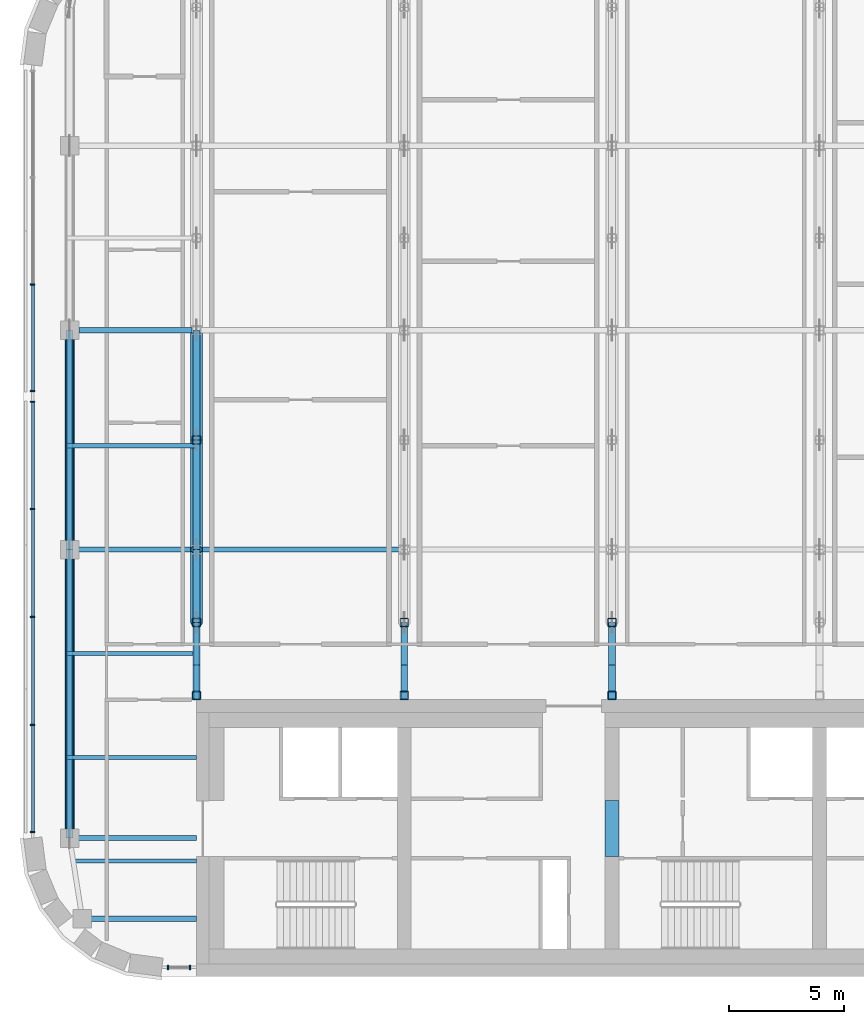
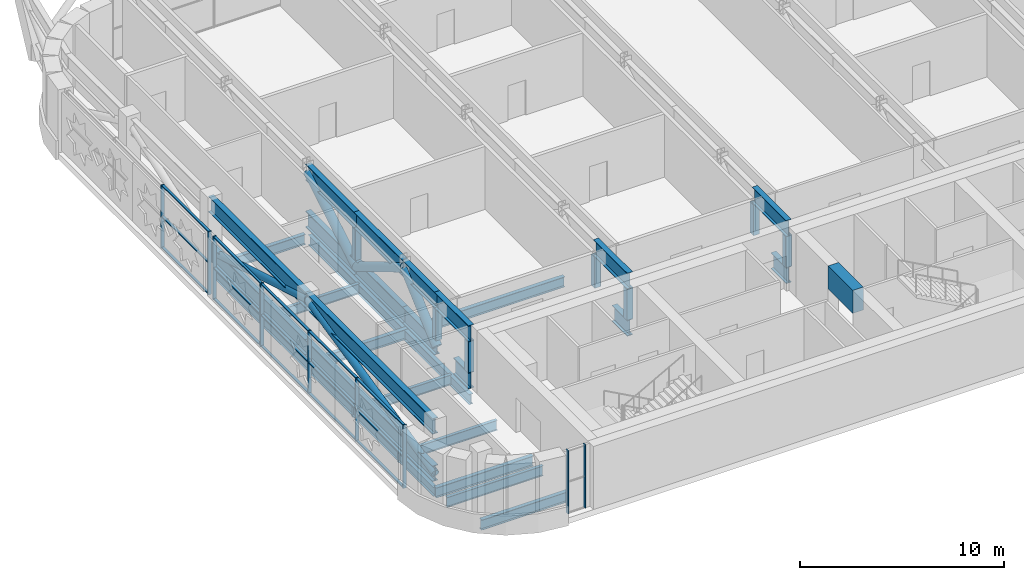
# One storey, part 5 of 28: 52 members, 12 beams, 3 elements without a shape of their own.
"""IFC4 building model written with IfcOpenShell, lengths in metres."""

from ifc_helpers import new_model, si_unit, direction, frame, origin, origin_2d, place, context, subcontext, project, spatial, rectangle, hollow_rectangle, hollow_circle, i_section, extrude, material, material_profile, profile_set, type_object, element, aggregate, save


model = new_model("IFC4")

# Units and contexts
model_context = context("Model", 3, precision=1e-05, world=origin(), true_north=direction((0.0, 1.0)))
body_context = subcontext(model_context, "Body", "Model", "MODEL_VIEW")
ifc_project = project(units=[si_unit("LENGTHUNIT", "METRE"), si_unit("AREAUNIT", "SQUARE_METRE"), si_unit("VOLUMEUNIT", "CUBIC_METRE"), si_unit("PLANEANGLEUNIT", "RADIAN"), si_unit("MASSUNIT", "GRAM", prefix="KILO")], contexts=[model_context])

# Site, building, storey
site_placement = place(None, origin())
site = spatial("IfcSite", under=ifc_project, at=site_placement, CompositionType="ELEMENT")
building_placement = place(site_placement, origin())
building = spatial("IfcBuilding", under=site, at=building_placement, Name="Zellij Exchange Tower", CompositionType="ELEMENT")
storey_placement = place(building_placement, frame((0.0, 0.0, 268.5)))
storey = spatial("IfcBuildingStorey", under=building, at=storey_placement, Name="L63", CompositionType="ELEMENT", Elevation=268.5)

# Beam
ifc_material_1 = material(Name="Concrete C50/60", Category="concrete")
ifc_material_profile_1 = material_profile(ifc_material_1, rectangle(XDim=0.60009765625, YDim=1.3798828125, at=origin_2d()), Name="CORE-CB 600x1380 C50/60")
ifc_profile_set_1 = profile_set([ifc_material_profile_1], Name="Concrete C50/60")
beam_type_1 = type_object("IfcBeamType", Name="CORE-CB 600x1380 C50/60", PredefinedType="BEAM", material=ifc_profile_set_1)
beam_1_placement = place(storey_placement, frame((-9.0, -8.800048828125, 3.090087890625), z_axis=(0.0, 1.0, 0.0), x_axis=(-1.0, 0.0, 0.0)))
element("IfcBeam", 1, at=beam_1_placement, inside=storey, type_object=beam_type_1, Name="Core coupling beam x -9 L63", PredefinedType="BEAM", context=body_context, shape_type="SweptSolid", body=[
    extrude(rectangle(XDim=0.60009765625, YDim=1.3798828125, at=origin_2d()), origin(), (0.0, 0.0, 1.0), 2.425048828125),
])

# Curtain wall, members
ifc_material_2 = material(Name="Aluminium frame, clear insulating glass", Category="aluminium")
curtain_wall_type = type_object("IfcCurtainWallType", Name="ENV-CW2 Outrigger-storey glazing", PredefinedType="NOTDEFINED", material=ifc_material_2)
curtain_wall_1_placement = place(storey_placement, origin())
curtain_wall_1 = element("IfcCurtainWall", 2, at=curtain_wall_1_placement, inside=storey, type_object=curtain_wall_type, Name="cw.L63.00a", PredefinedType="NOTDEFINED")
ifc_material_3 = material(Name="Aluminium", Category="aluminium")
ifc_material_profile_2 = material_profile(ifc_material_3, rectangle(XDim=0.06005859375, YDim=0.199951171875, at=origin_2d()), Name="AL 60x200")
ifc_profile_set_2 = profile_set([ifc_material_profile_2], Name="Aluminium")
member_type_1 = type_object("IfcMemberType", Name="ENV-CW2M Mullion 60x200", PredefinedType="MULLION", material=ifc_profile_set_2)
member_1_placement = place(storey_placement, frame((-28.243896484375, -13.60009765625, 0.0), z_axis=(0.0, 0.0, 1.0), x_axis=(1.0, 0.0, 0.0)))
member_1 = element("IfcMember", 3, at=member_1_placement, type_object=member_type_1, Name="CW2 mullion 1", PredefinedType="MULLION", context=body_context, shape_type="SweptSolid", body=[
    extrude(rectangle(XDim=0.06005859375, YDim=0.199951171875, at=origin_2d()), origin(), (0.0, 0.0, 1.0), 3.780029296875),
])
member_2_placement = place(storey_placement, frame((-27.280029296875, -13.60009765625, 0.0), z_axis=(0.0, 0.0, 1.0), x_axis=(1.0, 0.0, 0.0)))
member_2 = element("IfcMember", 4, at=member_2_placement, type_object=member_type_1, Name="CW2 mullion 2", PredefinedType="MULLION", context=body_context, shape_type="SweptSolid", body=[
    extrude(rectangle(XDim=0.06005859375, YDim=0.199951171875, at=origin_2d()), origin(), (0.0, 0.0, 1.0), 3.780029296875),
])
aggregate(curtain_wall_1, [member_1, member_2])

curtain_wall_2_placement = place(storey_placement, origin())
curtain_wall_2 = element("IfcCurtainWall", 5, at=curtain_wall_2_placement, inside=storey, type_object=curtain_wall_type, Name="cw.L63.21a", PredefinedType="NOTDEFINED")
member_3_placement = place(storey_placement, frame((-34.10009765625, 15.98388671875, 0.0), z_axis=(0.0, 0.0, 1.0), x_axis=(0.0, -1.0, 0.0)))
member_3 = element("IfcMember", 6, at=member_3_placement, type_object=member_type_1, Name="CW2 mullion 3", PredefinedType="MULLION", context=body_context, shape_type="SweptSolid", body=[
    extrude(rectangle(XDim=0.06005859375, YDim=0.199951171875, at=origin_2d()), origin(), (0.0, 0.0, 1.0), 3.780029296875),
])
member_4_placement = place(storey_placement, frame((-34.10009765625, 11.369140625, 0.0), z_axis=(0.0, 0.0, 1.0), x_axis=(0.0, -1.0, 0.0)))
member_4 = element("IfcMember", 7, at=member_4_placement, type_object=member_type_1, Name="CW2 mullion 4", PredefinedType="MULLION", context=body_context, shape_type="SweptSolid", body=[
    extrude(rectangle(XDim=0.06005859375, YDim=0.199951171875, at=origin_2d()), origin(), (0.0, 0.0, 1.0), 3.780029296875),
])

curtain_wall_3_placement = place(storey_placement, origin())
curtain_wall_3 = element("IfcCurtainWall", 8, at=curtain_wall_3_placement, inside=storey, type_object=curtain_wall_type, Name="cw.L63.21b", PredefinedType="NOTDEFINED")
member_5_placement = place(storey_placement, frame((-34.10009765625, 10.9091796875, 0.0), z_axis=(0.0, 0.0, 1.0), x_axis=(0.0, -1.0, 0.0)))
member_5 = element("IfcMember", 9, at=member_5_placement, type_object=member_type_1, Name="CW2 mullion 1", PredefinedType="MULLION", context=body_context, shape_type="SweptSolid", body=[
    extrude(rectangle(XDim=0.06005859375, YDim=0.199951171875, at=origin_2d()), origin(), (0.0, 0.0, 1.0), 3.780029296875),
])
member_6_placement = place(storey_placement, frame((-34.10009765625, 6.260986328125, 0.0), z_axis=(0.0, 0.0, 1.0), x_axis=(0.0, -1.0, 0.0)))
member_6 = element("IfcMember", 10, at=member_6_placement, type_object=member_type_1, Name="CW2 mullion 2", PredefinedType="MULLION", context=body_context, shape_type="SweptSolid", body=[
    extrude(rectangle(XDim=0.06005859375, YDim=0.199951171875, at=origin_2d()), origin(), (0.0, 0.0, 1.0), 3.780029296875),
])
member_7_placement = place(storey_placement, frame((-34.10009765625, 1.582763671875, 0.0), z_axis=(0.0, 0.0, 1.0), x_axis=(0.0, -1.0, 0.0)))
member_7 = element("IfcMember", 11, at=member_7_placement, type_object=member_type_1, Name="CW2 mullion 3", PredefinedType="MULLION", context=body_context, shape_type="SweptSolid", body=[
    extrude(rectangle(XDim=0.06005859375, YDim=0.199951171875, at=origin_2d()), origin(), (0.0, 0.0, 1.0), 3.780029296875),
])
member_8_placement = place(storey_placement, frame((-34.10009765625, -3.095458984375, 0.0), z_axis=(0.0, 0.0, 1.0), x_axis=(0.0, -1.0, 0.0)))
member_8 = element("IfcMember", 12, at=member_8_placement, type_object=member_type_1, Name="CW2 mullion 4", PredefinedType="MULLION", context=body_context, shape_type="SweptSolid", body=[
    extrude(rectangle(XDim=0.06005859375, YDim=0.199951171875, at=origin_2d()), origin(), (0.0, 0.0, 1.0), 3.780029296875),
])
member_9_placement = place(storey_placement, frame((-34.10009765625, -7.743896484375, 0.0), z_axis=(0.0, 0.0, 1.0), x_axis=(0.0, -1.0, 0.0)))
member_9 = element("IfcMember", 13, at=member_9_placement, type_object=member_type_1, Name="CW2 mullion 5", PredefinedType="MULLION", context=body_context, shape_type="SweptSolid", body=[
    extrude(rectangle(XDim=0.06005859375, YDim=0.199951171875, at=origin_2d()), origin(), (0.0, 0.0, 1.0), 3.780029296875),
])

# Member
ifc_material_profile_3 = material_profile(ifc_material_3, rectangle(XDim=0.139892578125, YDim=0.06005859375, at=origin_2d()), Name="AL 140x60")
ifc_profile_set_3 = profile_set([ifc_material_profile_3], Name="Aluminium")
member_type_2 = type_object("IfcMemberType", Name="ENV-CW2T Transom 140x60", PredefinedType="USERDEFINED", material=ifc_profile_set_3)
member_10_placement = place(storey_placement, frame((-34.10009765625, 15.9541015625, 0.030029296875), z_axis=(0.0, -1.0, 0.0), x_axis=(1.0, 0.0, 0.0)))
member_10 = element("IfcMember", 14, at=member_10_placement, type_object=member_type_2, Name="CW2 transom 3.1", ObjectType="TRANSOM", PredefinedType="USERDEFINED", context=body_context, shape_type="SweptSolid", body=[
    extrude(rectangle(XDim=0.139892578125, YDim=0.06005859375, at=origin_2d()), origin(), (0.0, 0.0, 1.0), 4.554931640625),
])

member_11_placement = place(storey_placement, frame((-34.10009765625, 15.9541015625, 1.889892578125), z_axis=(0.0, -1.0, 0.0), x_axis=(1.0, 0.0, 0.0)))
member_11 = element("IfcMember", 15, at=member_11_placement, type_object=member_type_2, Name="CW2 transom 3.2", ObjectType="TRANSOM", PredefinedType="USERDEFINED", context=body_context, shape_type="SweptSolid", body=[
    extrude(rectangle(XDim=0.139892578125, YDim=0.06005859375, at=origin_2d()), origin(), (0.0, 0.0, 1.0), 4.554931640625),
])

member_12_placement = place(storey_placement, frame((-34.10009765625, 15.9541015625, 3.75), z_axis=(0.0, -1.0, 0.0), x_axis=(1.0, 0.0, 0.0)))
member_12 = element("IfcMember", 16, at=member_12_placement, type_object=member_type_2, Name="CW2 transom 3.3", ObjectType="TRANSOM", PredefinedType="USERDEFINED", context=body_context, shape_type="SweptSolid", body=[
    extrude(rectangle(XDim=0.139892578125, YDim=0.06005859375, at=origin_2d()), origin(), (0.0, 0.0, 1.0), 4.554931640625),
])

aggregate(curtain_wall_2, [member_3, member_4, member_10, member_11, member_12])

member_13_placement = place(storey_placement, frame((-34.10009765625, 10.879150390625, 0.030029296875), z_axis=(0.0, -1.0, 0.0), x_axis=(1.0, 0.0, 0.0)))
member_13 = element("IfcMember", 17, at=member_13_placement, type_object=member_type_2, Name="CW2 transom 1.1", ObjectType="TRANSOM", PredefinedType="USERDEFINED", context=body_context, shape_type="SweptSolid", body=[
    extrude(rectangle(XDim=0.139892578125, YDim=0.06005859375, at=origin_2d()), origin(), (0.0, 0.0, 1.0), 4.58837890625),
])

member_14_placement = place(storey_placement, frame((-34.10009765625, 10.879150390625, 1.889892578125), z_axis=(0.0, -1.0, 0.0), x_axis=(1.0, 0.0, 0.0)))
member_14 = element("IfcMember", 18, at=member_14_placement, type_object=member_type_2, Name="CW2 transom 1.2", ObjectType="TRANSOM", PredefinedType="USERDEFINED", context=body_context, shape_type="SweptSolid", body=[
    extrude(rectangle(XDim=0.139892578125, YDim=0.06005859375, at=origin_2d()), origin(), (0.0, 0.0, 1.0), 4.58837890625),
])

member_15_placement = place(storey_placement, frame((-34.10009765625, 10.879150390625, 3.75), z_axis=(0.0, -1.0, 0.0), x_axis=(1.0, 0.0, 0.0)))
member_15 = element("IfcMember", 19, at=member_15_placement, type_object=member_type_2, Name="CW2 transom 1.3", ObjectType="TRANSOM", PredefinedType="USERDEFINED", context=body_context, shape_type="SweptSolid", body=[
    extrude(rectangle(XDim=0.139892578125, YDim=0.06005859375, at=origin_2d()), origin(), (0.0, 0.0, 1.0), 4.58837890625),
])

member_16_placement = place(storey_placement, frame((-34.10009765625, 6.23095703125, 0.030029296875), z_axis=(0.0, -1.0, 0.0), x_axis=(1.0, 0.0, 0.0)))
member_16 = element("IfcMember", 20, at=member_16_placement, type_object=member_type_2, Name="CW2 transom 2.1", ObjectType="TRANSOM", PredefinedType="USERDEFINED", context=body_context, shape_type="SweptSolid", body=[
    extrude(rectangle(XDim=0.139892578125, YDim=0.06005859375, at=origin_2d()), origin(), (0.0, 0.0, 1.0), 4.618408203125),
])

member_17_placement = place(storey_placement, frame((-34.10009765625, 6.23095703125, 1.889892578125), z_axis=(0.0, -1.0, 0.0), x_axis=(1.0, 0.0, 0.0)))
member_17 = element("IfcMember", 21, at=member_17_placement, type_object=member_type_2, Name="CW2 transom 2.2", ObjectType="TRANSOM", PredefinedType="USERDEFINED", context=body_context, shape_type="SweptSolid", body=[
    extrude(rectangle(XDim=0.139892578125, YDim=0.06005859375, at=origin_2d()), origin(), (0.0, 0.0, 1.0), 4.618408203125),
])

member_18_placement = place(storey_placement, frame((-34.10009765625, 6.23095703125, 3.75), z_axis=(0.0, -1.0, 0.0), x_axis=(1.0, 0.0, 0.0)))
member_18 = element("IfcMember", 22, at=member_18_placement, type_object=member_type_2, Name="CW2 transom 2.3", ObjectType="TRANSOM", PredefinedType="USERDEFINED", context=body_context, shape_type="SweptSolid", body=[
    extrude(rectangle(XDim=0.139892578125, YDim=0.06005859375, at=origin_2d()), origin(), (0.0, 0.0, 1.0), 4.618408203125),
])

member_19_placement = place(storey_placement, frame((-34.10009765625, 1.552734375, 0.030029296875), z_axis=(0.0, -1.0, 0.0), x_axis=(1.0, 0.0, 0.0)))
member_19 = element("IfcMember", 23, at=member_19_placement, type_object=member_type_2, Name="CW2 transom 3.1", ObjectType="TRANSOM", PredefinedType="USERDEFINED", context=body_context, shape_type="SweptSolid", body=[
    extrude(rectangle(XDim=0.139892578125, YDim=0.06005859375, at=origin_2d()), origin(), (0.0, 0.0, 1.0), 4.618408203125),
])

member_20_placement = place(storey_placement, frame((-34.10009765625, 1.552734375, 1.889892578125), z_axis=(0.0, -1.0, 0.0), x_axis=(1.0, 0.0, 0.0)))
member_20 = element("IfcMember", 24, at=member_20_placement, type_object=member_type_2, Name="CW2 transom 3.2", ObjectType="TRANSOM", PredefinedType="USERDEFINED", context=body_context, shape_type="SweptSolid", body=[
    extrude(rectangle(XDim=0.139892578125, YDim=0.06005859375, at=origin_2d()), origin(), (0.0, 0.0, 1.0), 4.618408203125),
])

member_21_placement = place(storey_placement, frame((-34.10009765625, 1.552734375, 3.75), z_axis=(0.0, -1.0, 0.0), x_axis=(1.0, 0.0, 0.0)))
member_21 = element("IfcMember", 25, at=member_21_placement, type_object=member_type_2, Name="CW2 transom 3.3", ObjectType="TRANSOM", PredefinedType="USERDEFINED", context=body_context, shape_type="SweptSolid", body=[
    extrude(rectangle(XDim=0.139892578125, YDim=0.06005859375, at=origin_2d()), origin(), (0.0, 0.0, 1.0), 4.618408203125),
])

member_22_placement = place(storey_placement, frame((-34.10009765625, -3.12548828125, 0.030029296875), z_axis=(0.0, -1.0, 0.0), x_axis=(1.0, 0.0, 0.0)))
member_22 = element("IfcMember", 26, at=member_22_placement, type_object=member_type_2, Name="CW2 transom 4.1", ObjectType="TRANSOM", PredefinedType="USERDEFINED", context=body_context, shape_type="SweptSolid", body=[
    extrude(rectangle(XDim=0.139892578125, YDim=0.06005859375, at=origin_2d()), origin(), (0.0, 0.0, 1.0), 4.58837890625),
])

member_23_placement = place(storey_placement, frame((-34.10009765625, -3.12548828125, 1.889892578125), z_axis=(0.0, -1.0, 0.0), x_axis=(1.0, 0.0, 0.0)))
member_23 = element("IfcMember", 27, at=member_23_placement, type_object=member_type_2, Name="CW2 transom 4.2", ObjectType="TRANSOM", PredefinedType="USERDEFINED", context=body_context, shape_type="SweptSolid", body=[
    extrude(rectangle(XDim=0.139892578125, YDim=0.06005859375, at=origin_2d()), origin(), (0.0, 0.0, 1.0), 4.58837890625),
])

member_24_placement = place(storey_placement, frame((-34.10009765625, -3.12548828125, 3.75), z_axis=(0.0, -1.0, 0.0), x_axis=(1.0, 0.0, 0.0)))
member_24 = element("IfcMember", 28, at=member_24_placement, type_object=member_type_2, Name="CW2 transom 4.3", ObjectType="TRANSOM", PredefinedType="USERDEFINED", context=body_context, shape_type="SweptSolid", body=[
    extrude(rectangle(XDim=0.139892578125, YDim=0.06005859375, at=origin_2d()), origin(), (0.0, 0.0, 1.0), 4.58837890625),
])

aggregate(curtain_wall_3, [member_5, member_6, member_7, member_8, member_9, member_13, member_14, member_15, member_16, member_17, member_18, member_19, member_20, member_21, member_22, member_23, member_24])

# Beams
ifc_material_4 = material(Name="Structural steel ASTM A992 Gr 50", Category="steel")
ifc_material_profile_4 = material_profile(ifc_material_4, i_section(OverallWidth=0.177978515625, OverallDepth=0.599365234375, WebThickness=0.010009765625, FlangeThickness=0.012939453125, at=origin_2d()), Name="W24x55")
ifc_profile_set_4 = profile_set([ifc_material_profile_4], Name="Structural steel ASTM A992 Gr 50")
beam_type_2 = type_object("IfcBeamType", Name="STR-BEAM W24x55", PredefinedType="BEAM", material=ifc_profile_set_4)
beam_2_placement = place(storey_placement, frame((-32.44873046875, -9.0, -0.649658203125), z_axis=(1.0, 0.0, 0.0), x_axis=(0.0, 1.0, 0.0)))
element("IfcBeam", 29, at=beam_2_placement, inside=storey, type_object=beam_type_2, Name="B4", PredefinedType="BEAM", context=body_context, shape_type="SweptSolid", body=[
    extrude(i_section(OverallWidth=0.177978515625, OverallDepth=0.599365234375, WebThickness=0.010009765625, FlangeThickness=0.012939453125, at=origin_2d()), origin(), (0.0, 0.0, 1.0), 5.44873046875),
])
for number, where, z_axis, x_axis, name in (
    (30, (-32.6044921875, -4.5, -0.649658203125), (1.0, 0.0, 0.0), (0.0, 1.0, 0.0), "B4"),
    (31, (-32.6044921875, 0.0, -0.649658203125), (1.0, 0.0, 0.0), (0.0, 1.0, 0.0), "B4"),
    (32, (-32.6044921875, 9.0, -0.649658203125), (1.0, 0.0, 0.0), (0.0, 1.0, 0.0), "B4"),
):
    element("IfcBeam", number, at=place(storey_placement, frame(where, z_axis=z_axis, x_axis=x_axis)), inside=storey, type_object=beam_type_2, Name=name, PredefinedType="BEAM", context=body_context, shape_type="SweptSolid", body=[
        extrude(i_section(OverallWidth=0.177978515625, OverallDepth=0.599365234375, WebThickness=0.010009765625, FlangeThickness=0.012939453125, at=origin_2d()), origin(), (0.0, 0.0, 1.0), 5.6044921875),
    ])

# Members
ifc_material_profile_5 = material_profile(ifc_material_4, i_section(OverallWidth=0.307373046875, OverallDepth=0.9423828125, WebThickness=0.022216796875, FlangeThickness=0.039794921875, at=origin_2d()), Name="W36x232")
ifc_profile_set_5 = profile_set([ifc_material_profile_5], Name="Structural steel ASTM A992 Gr 50")
member_type_3 = type_object("IfcMemberType", Name="STR-BELT TRUSS CHORD W36x232", PredefinedType="CHORD", material=ifc_profile_set_5)
for number, where, z_axis, x_axis, name in (
    (33, (-32.5, -8.0, 0.47119140625), (0.0, 1.0, 0.0), (-1.0, 0.0, 0.0), "BT1"),
    (34, (-32.5, -8.0, 3.308837890625), (0.0, 1.0, 0.0), (-1.0, 0.0, 0.0), "BT1"),
):
    element("IfcMember", number, at=place(storey_placement, frame(where, z_axis=z_axis, x_axis=x_axis)), inside=storey, type_object=member_type_3, Name=name, PredefinedType="CHORD", context=body_context, shape_type="SweptSolid", body=[
        extrude(i_section(OverallWidth=0.307373046875, OverallDepth=0.9423828125, WebThickness=0.022216796875, FlangeThickness=0.039794921875, at=origin_2d()), origin(), (0.0, 0.0, 1.0), 12.5),
    ])
for number, where, z_axis, x_axis, name in (
    (35, (-32.5, 4.5, 0.47119140625), (0.0, 1.0, 0.0), (-1.0, 0.0, 0.0), "BT1"),
    (36, (-32.5, 4.5, 3.308837890625), (0.0, 1.0, 0.0), (-1.0, 0.0, 0.0), "BT1"),
):
    element("IfcMember", number, at=place(storey_placement, frame(where, z_axis=z_axis, x_axis=x_axis)), inside=storey, type_object=member_type_3, Name=name, PredefinedType="CHORD", context=body_context, shape_type="SweptSolid", body=[
        extrude(i_section(OverallWidth=0.307373046875, OverallDepth=0.9423828125, WebThickness=0.022216796875, FlangeThickness=0.039794921875, at=origin_2d()), origin(), (0.0, 0.0, 1.0), 9.5),
    ])
ifc_material_5 = material(Name="Structural steel ASTM A500 Gr C", Category="steel")
ifc_material_profile_6 = material_profile(ifc_material_5, hollow_circle(Radius=0.203125, WallThickness=0.01171875, at=origin_2d()), Name="STR-BELT TRUSS DIAGONAL HSS16.000x0.500")
ifc_profile_set_6 = profile_set([ifc_material_profile_6], Name="Structural steel ASTM A500 Gr C")
member_type_4 = type_object("IfcMemberType", Name="STR-BELT TRUSS DIAGONAL HSS16.000x0.500", PredefinedType="BRACE", material=ifc_profile_set_6)
member_25_placement = place(storey_placement, frame((-32.5, -8.0, 0.47119140625), z_axis=(0.0, 0.975187832743, 0.221379066015), x_axis=(-1.0, 0.0, 0.0)))
element("IfcMember", 37, at=member_25_placement, inside=storey, type_object=member_type_4, Name="BT2", PredefinedType="BRACE", context=body_context, shape_type="SweptSolid", body=[
    extrude(hollow_circle(Radius=0.203125, WallThickness=0.01171875, at=origin_2d()), origin(), (0.0, 0.0, 1.0), 12.818115234375),
])
member_26_placement = place(storey_placement, frame((-32.5, 4.5, 3.308837890625), z_axis=(0.0, 0.958168531656, -0.28620458582), x_axis=(-1.0, 0.0, 0.0)))
element("IfcMember", 38, at=member_26_placement, inside=storey, type_object=member_type_4, Name="BT2", PredefinedType="BRACE", context=body_context, shape_type="SweptSolid", body=[
    extrude(hollow_circle(Radius=0.203125, WallThickness=0.01171875, at=origin_2d()), origin(), (0.0, 0.0, 1.0), 9.914794921875),
])

# Beams
ifc_material_profile_7 = material_profile(ifc_material_4, i_section(OverallWidth=0.209228515625, OverallDepth=0.533447265625, WebThickness=0.01025390625, FlangeThickness=0.015625, at=origin_2d()), Name="W21x62")
ifc_profile_set_7 = profile_set([ifc_material_profile_7], Name="Structural steel ASTM A992 Gr 50")
beam_type_3 = type_object("IfcBeamType", Name="STR-EDGE GIRDER W21x62", PredefinedType="BEAM", material=ifc_profile_set_7)
beam_3_placement = place(storey_placement, frame((-32.5, -8.0, -0.61669921875), z_axis=(0.0, 1.0, 0.0), x_axis=(-1.0, 0.0, 0.0)))
element("IfcBeam", 39, at=beam_3_placement, inside=storey, type_object=beam_type_3, Name="EB3", PredefinedType="BEAM", context=body_context, shape_type="SweptSolid", body=[
    extrude(i_section(OverallWidth=0.209228515625, OverallDepth=0.533447265625, WebThickness=0.01025390625, FlangeThickness=0.015625, at=origin_2d()), origin(), (0.0, 0.0, 1.0), 12.5),
])
beam_4_placement = place(storey_placement, frame((-32.5, 4.5, -0.61669921875), z_axis=(0.0, 1.0, 0.0), x_axis=(-1.0, 0.0, 0.0)))
element("IfcBeam", 40, at=beam_4_placement, inside=storey, type_object=beam_type_3, Name="EB3", PredefinedType="BEAM", context=body_context, shape_type="SweptSolid", body=[
    extrude(i_section(OverallWidth=0.209228515625, OverallDepth=0.533447265625, WebThickness=0.01025390625, FlangeThickness=0.015625, at=origin_2d()), origin(), (0.0, 0.0, 1.0), 9.10009765625),
])
ifc_material_profile_8 = material_profile(ifc_material_4, i_section(OverallWidth=0.228271484375, OverallDepth=0.607177734375, WebThickness=0.01123046875, FlangeThickness=0.017333984375, at=origin_2d()), Name="W24x76")
ifc_profile_set_8 = profile_set([ifc_material_profile_8], Name="Structural steel ASTM A992 Gr 50")
beam_type_4 = type_object("IfcBeamType", Name="STR-GIRDER W24x76", PredefinedType="BEAM", material=ifc_profile_set_8)
beam_5_placement = place(storey_placement, frame((-31.949951171875, -11.5, -0.653564453125), z_axis=(1.0, 0.0, 0.0), x_axis=(0.0, 1.0, 0.0)))
element("IfcBeam", 41, at=beam_5_placement, inside=storey, type_object=beam_type_4, Name="G2", PredefinedType="BEAM", context=body_context, shape_type="SweptSolid", body=[
    extrude(i_section(OverallWidth=0.228271484375, OverallDepth=0.607177734375, WebThickness=0.01123046875, FlangeThickness=0.017333984375, at=origin_2d()), origin(), (0.0, 0.0, 1.0), 4.949951171875),
])
beam_6_placement = place(storey_placement, frame((-32.5, -8.0, -0.653564453125), z_axis=(1.0, 0.0, 0.0), x_axis=(0.0, 1.0, 0.0)))
element("IfcBeam", 42, at=beam_6_placement, inside=storey, type_object=beam_type_4, Name="G2", PredefinedType="BEAM", context=body_context, shape_type="SweptSolid", body=[
    extrude(i_section(OverallWidth=0.228271484375, OverallDepth=0.607177734375, WebThickness=0.01123046875, FlangeThickness=0.017333984375, at=origin_2d()), origin(), (0.0, 0.0, 1.0), 5.5),
])
beam_7_placement = place(storey_placement, frame((-32.5, 4.5, -0.653564453125), z_axis=(1.0, 0.0, 0.0), x_axis=(0.0, 1.0, 0.0)))
element("IfcBeam", 43, at=beam_7_placement, inside=storey, type_object=beam_type_4, Name="G2", PredefinedType="BEAM", context=body_context, shape_type="SweptSolid", body=[
    extrude(i_section(OverallWidth=0.228271484375, OverallDepth=0.607177734375, WebThickness=0.01123046875, FlangeThickness=0.017333984375, at=origin_2d()), origin(), (0.0, 0.0, 1.0), 14.5),
])
beam_8_placement = place(storey_placement, frame((-32.10009765625, 14.0, -0.653564453125), z_axis=(1.0, 0.0, 0.0), x_axis=(0.0, 1.0, 0.0)))
element("IfcBeam", 44, at=beam_8_placement, inside=storey, type_object=beam_type_4, Name="G2", PredefinedType="BEAM", context=body_context, shape_type="SweptSolid", body=[
    extrude(i_section(OverallWidth=0.228271484375, OverallDepth=0.607177734375, WebThickness=0.01123046875, FlangeThickness=0.017333984375, at=origin_2d()), origin(), (0.0, 0.0, 1.0), 4.900634765625),
])
beam_9_placement = place(storey_placement, frame((-27.0, -2.0, -0.653564453125), z_axis=(0.0, 1.0, 0.0), x_axis=(-1.0, 0.0, 0.0)))
element("IfcBeam", 45, at=beam_9_placement, inside=storey, type_object=beam_type_4, Name="G2", PredefinedType="BEAM", context=body_context, shape_type="SweptSolid", body=[
    extrude(i_section(OverallWidth=0.228271484375, OverallDepth=0.607177734375, WebThickness=0.01123046875, FlangeThickness=0.017333984375, at=origin_2d()), origin(), (0.0, 0.0, 1.0), 15.806884765625),
])

# Members
ifc_material_6 = material(Name="Structural steel ASTM A913 Gr 65", Category="steel")
ifc_material_profile_9 = material_profile(ifc_material_6, i_section(OverallWidth=0.2998046875, OverallDepth=0.965087890625, WebThickness=0.01904296875, FlangeThickness=0.0361328125, at=origin_2d()), Name="W40x249")
ifc_profile_set_9 = profile_set([ifc_material_profile_9], Name="Structural steel ASTM A913 Gr 65")
member_type_5 = type_object("IfcMemberType", Name="STR-OUTRIGGER TRUSS CHORD W40x249", PredefinedType="CHORD", material=ifc_profile_set_9)
member_27_placement = place(storey_placement, frame((-27.0, -2.0, 3.29736328125), z_axis=(0.0, 1.0, 0.0), x_axis=(-1.0, 0.0, 0.0)))
element("IfcMember", 46, at=member_27_placement, inside=storey, type_object=member_type_5, Name="OT1", PredefinedType="CHORD", context=body_context, shape_type="SweptSolid", body=[
    extrude(i_section(OverallWidth=0.2998046875, OverallDepth=0.965087890625, WebThickness=0.01904296875, FlangeThickness=0.0361328125, at=origin_2d()), origin(), (0.0, 0.0, 1.0), 3.339111328125),
])
member_28_placement = place(storey_placement, frame((-27.0, -2.0, 0.482666015625), z_axis=(0.0, 1.0, 0.0), x_axis=(-1.0, 0.0, 0.0)))
element("IfcMember", 47, at=member_28_placement, inside=storey, type_object=member_type_5, Name="OT1", PredefinedType="CHORD", context=body_context, shape_type="SweptSolid", body=[
    extrude(i_section(OverallWidth=0.2998046875, OverallDepth=0.965087890625, WebThickness=0.01904296875, FlangeThickness=0.0361328125, at=origin_2d()), origin(), (0.0, 0.0, 1.0), 1.5),
])
for number, where, z_axis, x_axis, name in (
    (48, (-27.0, 1.339111328125, 3.29736328125), (0.0, 1.0, 0.0), (-1.0, 0.0, 0.0), "OT1"),
    (49, (-27.0, 1.339111328125, 0.482666015625), (0.0, 1.0, 0.0), (-1.0, 0.0, 0.0), "OT1"),
):
    element("IfcMember", number, at=place(storey_placement, frame(where, z_axis=z_axis, x_axis=x_axis)), inside=storey, type_object=member_type_5, Name=name, PredefinedType="CHORD", context=body_context, shape_type="SweptSolid", body=[
        extrude(i_section(OverallWidth=0.2998046875, OverallDepth=0.965087890625, WebThickness=0.01904296875, FlangeThickness=0.0361328125, at=origin_2d()), origin(), (0.0, 0.0, 1.0), 3.160888671875),
    ])
for number, where, z_axis, x_axis, name in (
    (50, (-27.0, 4.5, 3.29736328125), (0.0, 1.0, 0.0), (-1.0, 0.0, 0.0), "OT1"),
    (51, (-27.0, 4.5, 0.482666015625), (0.0, 1.0, 0.0), (-1.0, 0.0, 0.0), "OT1"),
    (52, (-27.0, 9.25, 3.29736328125), (0.0, 1.0, 0.0), (-1.0, 0.0, 0.0), "OT1"),
    (53, (-27.0, 9.25, 0.482666015625), (0.0, 1.0, 0.0), (-1.0, 0.0, 0.0), "OT1"),
):
    element("IfcMember", number, at=place(storey_placement, frame(where, z_axis=z_axis, x_axis=x_axis)), inside=storey, type_object=member_type_5, Name=name, PredefinedType="CHORD", context=body_context, shape_type="SweptSolid", body=[
        extrude(i_section(OverallWidth=0.2998046875, OverallDepth=0.965087890625, WebThickness=0.01904296875, FlangeThickness=0.0361328125, at=origin_2d()), origin(), (0.0, 0.0, 1.0), 4.75),
    ])
member_29_placement = place(storey_placement, frame((-18.0, -2.0, 3.29736328125), z_axis=(0.0, 1.0, 0.0), x_axis=(-1.0, 0.0, 0.0)))
element("IfcMember", 54, at=member_29_placement, inside=storey, type_object=member_type_5, Name="OT1", PredefinedType="CHORD", context=body_context, shape_type="SweptSolid", body=[
    extrude(i_section(OverallWidth=0.2998046875, OverallDepth=0.965087890625, WebThickness=0.01904296875, FlangeThickness=0.0361328125, at=origin_2d()), origin(), (0.0, 0.0, 1.0), 3.339111328125),
])
member_30_placement = place(storey_placement, frame((-18.0, -2.0, 0.482666015625), z_axis=(0.0, 1.0, 0.0), x_axis=(-1.0, 0.0, 0.0)))
element("IfcMember", 55, at=member_30_placement, inside=storey, type_object=member_type_5, Name="OT1", PredefinedType="CHORD", context=body_context, shape_type="SweptSolid", body=[
    extrude(i_section(OverallWidth=0.2998046875, OverallDepth=0.965087890625, WebThickness=0.01904296875, FlangeThickness=0.0361328125, at=origin_2d()), origin(), (0.0, 0.0, 1.0), 1.5),
])
member_31_placement = place(storey_placement, frame((-9.0, -2.0, 3.29736328125), z_axis=(0.0, 1.0, 0.0), x_axis=(-1.0, 0.0, 0.0)))
element("IfcMember", 56, at=member_31_placement, inside=storey, type_object=member_type_5, Name="OT1", PredefinedType="CHORD", context=body_context, shape_type="SweptSolid", body=[
    extrude(i_section(OverallWidth=0.2998046875, OverallDepth=0.965087890625, WebThickness=0.01904296875, FlangeThickness=0.0361328125, at=origin_2d()), origin(), (0.0, 0.0, 1.0), 3.339111328125),
])
member_32_placement = place(storey_placement, frame((-9.0, -2.0, 0.482666015625), z_axis=(0.0, 1.0, 0.0), x_axis=(-1.0, 0.0, 0.0)))
element("IfcMember", 57, at=member_32_placement, inside=storey, type_object=member_type_5, Name="OT1", PredefinedType="CHORD", context=body_context, shape_type="SweptSolid", body=[
    extrude(i_section(OverallWidth=0.2998046875, OverallDepth=0.965087890625, WebThickness=0.01904296875, FlangeThickness=0.0361328125, at=origin_2d()), origin(), (0.0, 0.0, 1.0), 1.5),
])
ifc_material_profile_10 = material_profile(ifc_material_5, hollow_circle(Radius=0.25390625, WallThickness=0.01171875, at=origin_2d()), Name="STR-OUTRIGGER TRUSS DIAGONAL HSS20.000x0.500")
ifc_profile_set_10 = profile_set([ifc_material_profile_10], Name="Structural steel ASTM A500 Gr C")
member_type_6 = type_object("IfcMemberType", Name="STR-OUTRIGGER TRUSS DIAGONAL HSS20.000x0.500", PredefinedType="BRACE", material=ifc_profile_set_10)
member_33_placement = place(storey_placement, frame((-27.0, 1.339111328125, 0.482666015625), z_axis=(0.0, 0.74682026199, 0.665025936548), x_axis=(-1.0, 0.0, 0.0)))
element("IfcMember", 58, at=member_33_placement, inside=storey, type_object=member_type_6, Name="OT2", PredefinedType="BRACE", context=body_context, shape_type="SweptSolid", body=[
    extrude(hollow_circle(Radius=0.25390625, WallThickness=0.01171875, at=origin_2d()), origin(), (0.0, 0.0, 1.0), 4.232421875),
])
for number, where, z_axis, x_axis, name in (
    (59, (-27.0, 4.5, 3.29736328125), (0.0, 0.860300870846, -0.509786633428), (-1.0, 0.0, 0.0), "OT2"),
    (60, (-27.0, 9.25, 0.482666015625), (0.0, 0.860300870846, 0.509786633428), (-1.0, 0.0, 0.0), "OT2"),
):
    element("IfcMember", number, at=place(storey_placement, frame(where, z_axis=z_axis, x_axis=x_axis)), inside=storey, type_object=member_type_6, Name=name, PredefinedType="BRACE", context=body_context, shape_type="SweptSolid", body=[
        extrude(hollow_circle(Radius=0.25390625, WallThickness=0.01171875, at=origin_2d()), origin(), (0.0, 0.0, 1.0), 5.521240234375),
    ])
ifc_material_profile_11 = material_profile(ifc_material_5, hollow_rectangle(XDim=0.355712890625, YDim=0.355712890625, WallThickness=0.01171875, InnerFilletRadius=0.01171875, OuterFilletRadius=0.023681640625, at=origin_2d()), Name="STR-OUTRIGGER TRUSS POST HSS14x14x1/2")
ifc_profile_set_11 = profile_set([ifc_material_profile_11], Name="Structural steel ASTM A500 Gr C")
member_type_7 = type_object("IfcMemberType", Name="STR-OUTRIGGER TRUSS POST HSS14x14x1/2", PredefinedType="POST", material=ifc_profile_set_11)
for number, where, z_axis, x_axis, name in (
    (61, (-27.0, -1.822265625, 0.965087890625), (0.0, 0.0, 1.0), (1.0, 0.0, 0.0), "OT3"),
    (62, (-27.0, 1.339111328125, 0.965087890625), (0.0, 0.0, 1.0), (1.0, 0.0, 0.0), "OT3"),
    (63, (-27.0, 9.25, 0.965087890625), (0.0, 0.0, 1.0), (1.0, 0.0, 0.0), "OT3"),
    (64, (-18.0, -1.822265625, 0.965087890625), (0.0, 0.0, 1.0), (1.0, 0.0, 0.0), "OT3"),
    (65, (-18.0, 1.339111328125, 0.965087890625), (0.0, 0.0, 1.0), (1.0, 0.0, 0.0), "OT3"),
    (66, (-9.0, -1.822265625, 0.965087890625), (0.0, 0.0, 1.0), (1.0, 0.0, 0.0), "OT3"),
    (67, (-9.0, 1.339111328125, 0.965087890625), (0.0, 0.0, 1.0), (1.0, 0.0, 0.0), "OT3"),
):
    element("IfcMember", number, at=place(storey_placement, frame(where, z_axis=z_axis, x_axis=x_axis)), inside=storey, type_object=member_type_7, Name=name, PredefinedType="POST", context=body_context, shape_type="SweptSolid", body=[
        extrude(hollow_rectangle(XDim=0.355712890625, YDim=0.355712890625, WallThickness=0.01171875, InnerFilletRadius=0.01171875, OuterFilletRadius=0.023681640625, at=origin_2d()), origin(), (0.0, 0.0, 1.0), 1.849609375),
    ])

save(model, "model.ifc")
